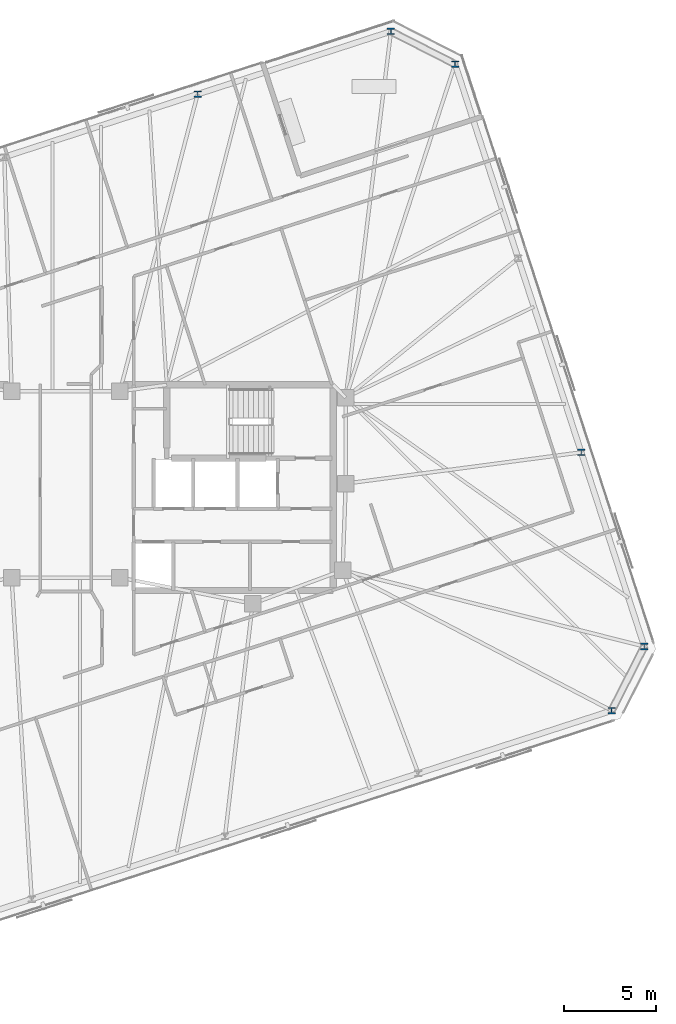
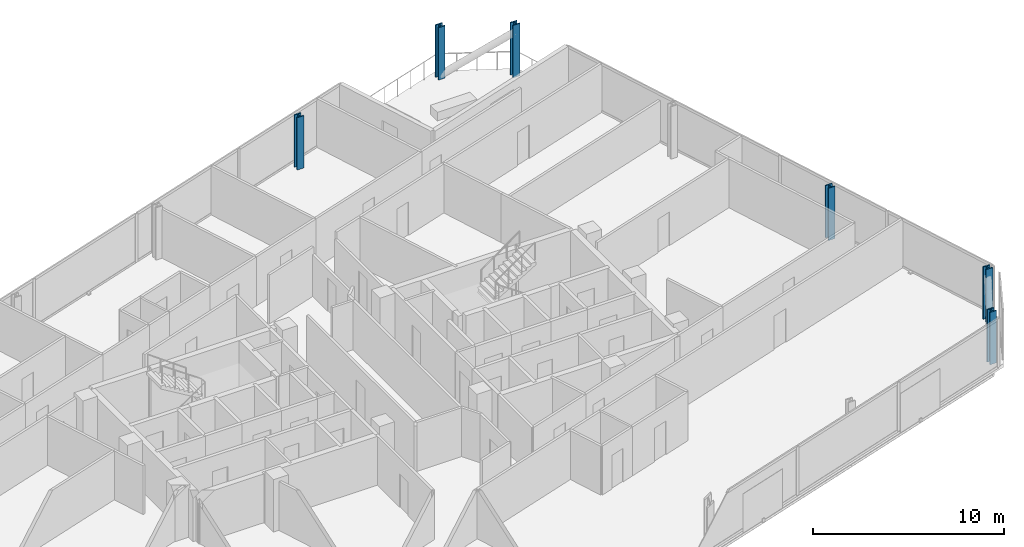
# One storey, part 4 of 19: 6 columns.
"""IFC4 building model written with IfcOpenShell, lengths in metres."""

from ifc_helpers import new_model, si_unit, direction, frame, origin, origin_2d, place, context, subcontext, project, spatial, i_section, extrude, material, material_profile, profile_set, type_object, element, save


model = new_model("IFC4")

# Units and contexts
model_context = context("Model", 3, precision=1e-05, world=origin(), true_north=direction((0.0, 1.0)))
body_context = subcontext(model_context, "Body", "Model", "MODEL_VIEW")
ifc_project = project(units=[si_unit("LENGTHUNIT", "METRE"), si_unit("AREAUNIT", "SQUARE_METRE"), si_unit("VOLUMEUNIT", "CUBIC_METRE"), si_unit("PLANEANGLEUNIT", "RADIAN"), si_unit("MASSUNIT", "GRAM", prefix="KILO")], contexts=[model_context])

# Site, building, storey
site_placement = place(None, origin())
site = spatial("IfcSite", under=ifc_project, at=site_placement, CompositionType="ELEMENT")
building_placement = place(site_placement, origin())
building = spatial("IfcBuilding", under=site, at=building_placement, Name="Menara Jurai Vektor", CompositionType="ELEMENT")
storey_placement = place(building_placement, frame((0.0, 0.0, 231.0)))
storey = spatial("IfcBuildingStorey", under=building, at=storey_placement, Name="L61", CompositionType="ELEMENT", Elevation=231.0)

# Columns
ifc_material = material(Name="Steel S460", Category="steel")
ifc_material_profile = material_profile(ifc_material, i_section(OverallWidth=0.405029296875, OverallDepth=0.35498046875, WebThickness=0.0419921875, FlangeThickness=0.068115234375, FilletRadius=0.014892578125, at=origin_2d()), Name="HD 400x551")
ifc_profile_set = profile_set([ifc_material_profile], Name="Steel S460")
column_type = type_object("IfcColumnType", Name="STR-EXO-BLK4", PredefinedType="COLUMN", material=ifc_profile_set)
for number, where, z_axis, x_axis, name in (
    (1, (29.733642578125, -12.14501953125, 0.0), (0.0, 0.0, 1.0), (1.0, 0.0, 0.0), "Exoskeleton Column BLK4-S6 L61"),
    (2, (31.513427734375, -8.652099609375, 0.0), (0.0, 0.0, 1.0), (1.0, 0.0, 0.0), "Exoskeleton Column BLK4-E1 L61"),
    (3, (28.07763671875, 1.92236328125, 0.0), (0.0, 0.0, 1.0), (1.0, 0.0, 0.0), "Exoskeleton Column BLK4-E2 L61"),
    (4, (21.2060546875, 23.071044921875, 0.0), (0.0, 0.0, 1.0), (1.0, 0.0, 0.0), "Exoskeleton Column BLK4-E4 L61"),
    (5, (17.712890625, 24.85107421875, 0.0), (0.0, 0.0, 1.0), (1.0, 0.0, 0.0), "Exoskeleton Column BLK4-N1 L61"),
    (6, (7.18359375, 21.4296875, 0.0), (0.0, 0.0, 1.0), (1.0, 0.0, 0.0), "Exoskeleton Column BLK4-N2 L61"),
):
    element("IfcColumn", number, at=place(storey_placement, frame(where, z_axis=z_axis, x_axis=x_axis)), inside=storey, type_object=column_type, Name=name, PredefinedType="COLUMN", context=body_context, shape_type="SweptSolid", body=[
        extrude(i_section(OverallWidth=0.405029296875, OverallDepth=0.35498046875, WebThickness=0.0419921875, FlangeThickness=0.068115234375, FilletRadius=0.014892578125, at=origin_2d()), origin(), (0.0, 0.0, 1.0), 3.35009765625),
    ])

save(model, "model.ifc")
